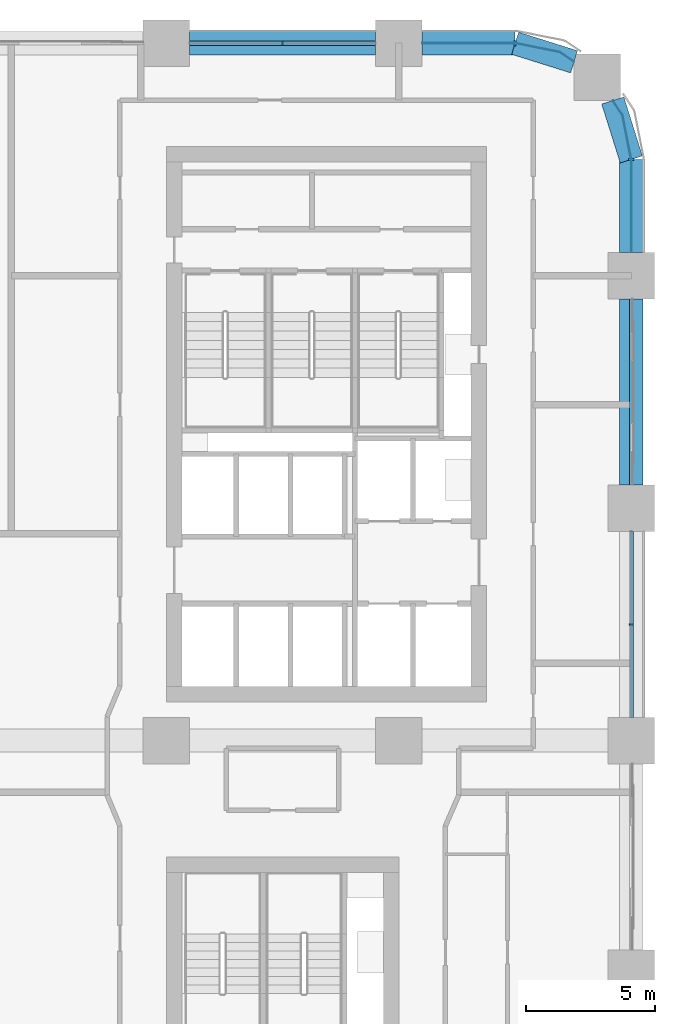
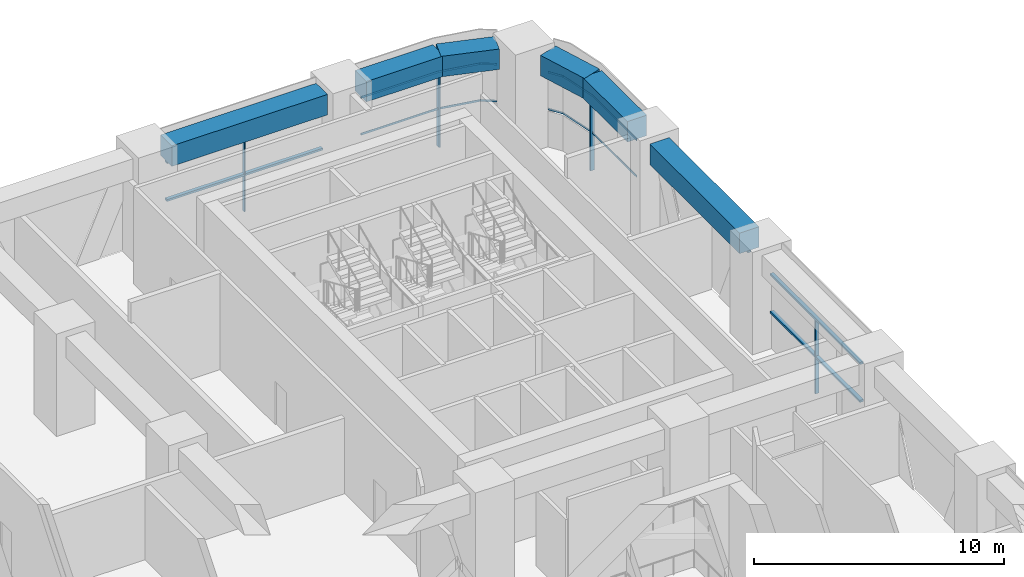
# One storey, part 10 of 26: 13 members, 6 beams, 5 elements without a shape of their own.
"""IFC4 building model written with IfcOpenShell, lengths in metres."""

from ifc_helpers import new_model, si_unit, direction, frame, origin, origin_2d, place, context, subcontext, project, spatial, polyline, rectangle, outline, extrude, material, material_profile, profile_set, type_object, element, aggregate, save


model = new_model("IFC4")

# Units and contexts
model_context = context("Model", 3, precision=1e-05, world=origin(), true_north=direction((0.0, 1.0)))
body_context = subcontext(model_context, "Body", "Model", "MODEL_VIEW")
ifc_project = project(units=[si_unit("LENGTHUNIT", "METRE"), si_unit("AREAUNIT", "SQUARE_METRE"), si_unit("VOLUMEUNIT", "CUBIC_METRE"), si_unit("PLANEANGLEUNIT", "RADIAN"), si_unit("MASSUNIT", "GRAM", prefix="KILO")], contexts=[model_context])

# Site, building, storey
site_placement = place(None, origin())
site = spatial("IfcSite", under=ifc_project, at=site_placement, CompositionType="ELEMENT")
building_placement = place(site_placement, origin())
building = spatial("IfcBuilding", under=site, at=building_placement, Name="Tessera Arch", CompositionType="ELEMENT")
storey_placement = place(building_placement, frame((0.0, 0.0, 72.800048828125)))
storey = spatial("IfcBuildingStorey", under=building, at=storey_placement, Name="L16", CompositionType="ELEMENT", Elevation=72.800048828125)

# Curtain wall, member
ifc_material_1 = material(Name="CW1 curtain wall")
curtain_wall_type_1 = type_object("IfcCurtainWallType", Name="CW1 curtain wall", PredefinedType="NOTDEFINED", material=ifc_material_1)
curtain_wall_1_placement = place(storey_placement, origin())
curtain_wall_1 = element("IfcCurtainWall", 1, at=curtain_wall_1_placement, inside=storey, type_object=curtain_wall_type_1, Name="CW1 curtain wall E54.0/3 L16", PredefinedType="NOTDEFINED")
ifc_material_2 = material(Name="Anodised aluminium pale metal", Category="aluminium")
ifc_material_profile_1 = material_profile(ifc_material_2, rectangle(XDim=0.159912109375, YDim=0.06005859375, at=origin_2d()), Name="AL 60x160")
ifc_profile_set_1 = profile_set([ifc_material_profile_1], Name="Anodised aluminium pale metal")
member_type_1 = type_object("IfcMemberType", Name="CW1 mullion", PredefinedType="MULLION", material=ifc_profile_set_1)
member_1_placement = place(storey_placement, frame((54.0, 31.5, 0.0), z_axis=(0.0, 0.0, 1.0), x_axis=(-1.0, 0.0, 0.0)))
member_1 = element("IfcMember", 2, at=member_1_placement, type_object=member_type_1, Name="CW1 mullion E54.0/3 1", PredefinedType="MULLION", context=body_context, shape_type="SweptSolid", body=[
    extrude(rectangle(XDim=0.159912109375, YDim=0.06005859375, at=origin_2d()), origin(), (0.0, 0.0, 1.0), 3.599853515625),
])

curtain_wall_2_placement = place(storey_placement, origin())
curtain_wall_2 = element("IfcCurtainWall", 3, at=curtain_wall_2_placement, inside=storey, type_object=curtain_wall_type_1, Name="CW1 curtain wall N54.0/1 L16", PredefinedType="NOTDEFINED")
member_2_placement = place(storey_placement, frame((40.5, 54.0, 0.0), z_axis=(0.0, 0.0, 1.0), x_axis=(0.0, -1.0, 0.0)))
member_2 = element("IfcMember", 4, at=member_2_placement, type_object=member_type_1, Name="CW1 mullion N54.0/1 1", PredefinedType="MULLION", context=body_context, shape_type="SweptSolid", body=[
    extrude(rectangle(XDim=0.159912109375, YDim=0.06005859375, at=origin_2d()), origin(), (0.0, 0.0, 1.0), 3.599853515625),
])

# Member
ifc_material_3 = material(Name="Anodised aluminium pale metal", Category="aluminium")
ifc_material_profile_2 = material_profile(ifc_material_3, rectangle(XDim=0.159912109375, YDim=0.10009765625, at=origin_2d()), Name="AL 160x100")
ifc_profile_set_2 = profile_set([ifc_material_profile_2], Name="Anodised aluminium pale metal")
member_type_2 = type_object("IfcMemberType", Name="CW1 transom", PredefinedType="USERDEFINED", material=ifc_profile_set_2)
member_3_placement = place(storey_placement, frame((54.0, 27.89990234375, 3.64990234375), z_axis=(0.0, 1.0, 0.0), x_axis=(-1.0, 0.0, 0.0)))
member_3 = element("IfcMember", 5, at=member_3_placement, type_object=member_type_2, Name="CW1 transom E54.0/3 1.1", ObjectType="TRANSOM", PredefinedType="USERDEFINED", context=body_context, shape_type="SweptSolid", body=[
    extrude(rectangle(XDim=0.159912109375, YDim=0.10009765625, at=origin_2d()), origin(), (0.0, 0.0, 1.0), 7.2001953125),
])

member_4_placement = place(storey_placement, frame((54.0, 27.89990234375, 1.800048828125), z_axis=(0.0, 1.0, 0.0), x_axis=(-1.0, 0.0, 0.0)))
member_4 = element("IfcMember", 6, at=member_4_placement, type_object=member_type_2, Name="CW1 transom E54.0/3 2.1", ObjectType="TRANSOM", PredefinedType="USERDEFINED", context=body_context, shape_type="SweptSolid", body=[
    extrude(rectangle(XDim=0.159912109375, YDim=0.10009765625, at=origin_2d()), origin(), (0.0, 0.0, 1.0), 7.2001953125),
])

aggregate(curtain_wall_1, [member_1, member_3, member_4])

member_5_placement = place(storey_placement, frame((44.10009765625, 54.0, 3.64990234375), z_axis=(-1.0, 0.0, 0.0), x_axis=(0.0, -1.0, 0.0)))
member_5 = element("IfcMember", 7, at=member_5_placement, type_object=member_type_2, Name="CW1 transom N54.0/1 1.1", ObjectType="TRANSOM", PredefinedType="USERDEFINED", context=body_context, shape_type="SweptSolid", body=[
    extrude(rectangle(XDim=0.159912109375, YDim=0.10009765625, at=origin_2d()), origin(), (0.0, 0.0, 1.0), 7.2001953125),
])

member_6_placement = place(storey_placement, frame((44.10009765625, 54.0, 1.800048828125), z_axis=(-1.0, 0.0, 0.0), x_axis=(0.0, -1.0, 0.0)))
member_6 = element("IfcMember", 8, at=member_6_placement, type_object=member_type_2, Name="CW1 transom N54.0/1 2.1", ObjectType="TRANSOM", PredefinedType="USERDEFINED", context=body_context, shape_type="SweptSolid", body=[
    extrude(rectangle(XDim=0.159912109375, YDim=0.10009765625, at=origin_2d()), origin(), (0.0, 0.0, 1.0), 7.2001953125),
])

aggregate(curtain_wall_2, [member_2, member_5, member_6])

# Curtain wall, member
ifc_material_4 = material(Name="CW2 curtain wall")
curtain_wall_type_2 = type_object("IfcCurtainWallType", Name="CW2 curtain wall", PredefinedType="NOTDEFINED", material=ifc_material_4)
curtain_wall_3_placement = place(storey_placement, origin())
curtain_wall_3 = element("IfcCurtainWall", 9, at=curtain_wall_3_placement, inside=storey, type_object=curtain_wall_type_2, Name="CW2 curtain wall E54.0/5 L16", PredefinedType="NOTDEFINED")
ifc_material_5 = material(Name="Anodised aluminium pale metal", Category="aluminium")
ifc_material_profile_3 = material_profile(ifc_material_5, rectangle(XDim=0.199951171875, YDim=0.080078125, at=origin_2d()), Name="AL 80x200")
ifc_profile_set_3 = profile_set([ifc_material_profile_3], Name="Anodised aluminium pale metal")
member_type_3 = type_object("IfcMemberType", Name="CW2 mullion", PredefinedType="MULLION", material=ifc_profile_set_3)
member_7_placement = place(storey_placement, frame((54.0, 49.5, 0.0), z_axis=(0.0, 0.0, 1.0), x_axis=(-1.0, 0.0, 0.0)))
member_7 = element("IfcMember", 10, at=member_7_placement, type_object=member_type_3, Name="CW2 mullion E54.0/5 1", PredefinedType="MULLION", context=body_context, shape_type="SweptSolid", body=[
    extrude(rectangle(XDim=0.199951171875, YDim=0.080078125, at=origin_2d()), origin(), (0.0, 0.0, 1.0), 3.599853515625),
])

curtain_wall_4_placement = place(storey_placement, origin())
curtain_wall_4 = element("IfcCurtainWall", 11, at=curtain_wall_4_placement, inside=storey, type_object=curtain_wall_type_2, Name="CW2 curtain wall N54.0/0 L16", PredefinedType="NOTDEFINED")
member_8_placement = place(storey_placement, frame((49.5, 54.0, 0.0), z_axis=(0.0, 0.0, 1.0), x_axis=(0.0, -1.0, 0.0)))
member_8 = element("IfcMember", 12, at=member_8_placement, type_object=member_type_3, Name="CW2 mullion N54.0/0 1", PredefinedType="MULLION", context=body_context, shape_type="SweptSolid", body=[
    extrude(rectangle(XDim=0.199951171875, YDim=0.080078125, at=origin_2d()), origin(), (0.0, 0.0, 1.0), 3.599853515625),
])

# Member
ifc_material_6 = material(Name="Anodised aluminium pale metal", Category="aluminium")
ifc_material_profile_4 = material_profile(ifc_material_6, rectangle(XDim=0.199951171875, YDim=0.10009765625, at=origin_2d()), Name="AL 200x100")
ifc_profile_set_4 = profile_set([ifc_material_profile_4], Name="Anodised aluminium pale metal")
member_type_4 = type_object("IfcMemberType", Name="CW2 transom", PredefinedType="USERDEFINED", material=ifc_profile_set_4)
member_9_placement = place(storey_placement, frame((0.0, 0.0, 1.800048828125)))
member_9 = element("IfcMember", 13, at=member_9_placement, type_object=member_type_4, Name="CW2 transom E54.0/5 1", ObjectType="TRANSOM", PredefinedType="USERDEFINED", context=body_context, shape_type="SweptSolid", body=[
    extrude(outline(polyline([(53.989990234375, 49.4990234375), (53.989990234375, 45.89990234375), (54.010009765625, 45.89990234375), (54.010009765625, 49.5009765625), (53.6669921875, 51.22607421875), (53.29150390625, 51.78759765625), (53.27490234375, 51.7763671875), (53.648193359375, 51.21826171875), (53.989990234375, 49.4990234375)])), origin(), (0.0, 0.0, 1.0), 0.099853515625),
])

member_10_placement = place(storey_placement, frame((0.0, 0.0, 3.599853515625)))
member_10 = element("IfcMember", 14, at=member_10_placement, type_object=member_type_4, Name="CW2 transom E54.0/5 2", ObjectType="TRANSOM", PredefinedType="USERDEFINED", context=body_context, shape_type="SweptSolid", body=[
    extrude(outline(polyline([(53.989990234375, 49.4990234375), (53.989990234375, 45.89990234375), (54.010009765625, 45.89990234375), (54.010009765625, 49.5009765625), (53.6669921875, 51.22607421875), (53.29150390625, 51.78759765625), (53.27490234375, 51.7763671875), (53.648193359375, 51.21826171875), (53.989990234375, 49.4990234375)])), origin(), (0.0, 0.0, 1.0), 0.10009765625),
])

aggregate(curtain_wall_3, [member_7, member_9, member_10])

member_11_placement = place(storey_placement, frame((0.0, 0.0, 1.800048828125)))
member_11 = element("IfcMember", 15, at=member_11_placement, type_object=member_type_4, Name="CW2 transom N54.0/0 1", ObjectType="TRANSOM", PredefinedType="USERDEFINED", context=body_context, shape_type="SweptSolid", body=[
    extrude(outline(polyline([(51.21826171875, 53.648193359375), (51.7763671875, 53.27490234375), (51.78759765625, 53.29150390625), (51.22607421875, 53.6669921875), (49.5009765625, 54.010009765625), (45.89990234375, 54.010009765625), (45.89990234375, 53.989990234375), (49.4990234375, 53.989990234375), (51.21826171875, 53.648193359375)])), origin(), (0.0, 0.0, 1.0), 0.099853515625),
])

member_12_placement = place(storey_placement, frame((0.0, 0.0, 3.599853515625)))
member_12 = element("IfcMember", 16, at=member_12_placement, type_object=member_type_4, Name="CW2 transom N54.0/0 2", ObjectType="TRANSOM", PredefinedType="USERDEFINED", context=body_context, shape_type="SweptSolid", body=[
    extrude(outline(polyline([(51.21826171875, 53.648193359375), (51.7763671875, 53.27490234375), (51.78759765625, 53.29150390625), (51.22607421875, 53.6669921875), (49.5009765625, 54.010009765625), (45.89990234375, 54.010009765625), (45.89990234375, 53.989990234375), (49.4990234375, 53.989990234375), (51.21826171875, 53.648193359375)])), origin(), (0.0, 0.0, 1.0), 0.10009765625),
])

aggregate(curtain_wall_4, [member_8, member_11, member_12])

# Curtain wall, member
ifc_material_7 = material(Name="CW3 curtain wall")
curtain_wall_type_3 = type_object("IfcCurtainWallType", Name="CW3 curtain wall", PredefinedType="NOTDEFINED", material=ifc_material_7)
curtain_wall_5_placement = place(storey_placement, origin())
curtain_wall_5 = element("IfcCurtainWall", 17, at=curtain_wall_5_placement, inside=storey, type_object=curtain_wall_type_3, Name="CW3 curtain wall E54.0/4 L16", PredefinedType="NOTDEFINED")
ifc_material_8 = material(Name="Anodised aluminium pale metal", Category="aluminium")
ifc_material_profile_5 = material_profile(ifc_material_8, rectangle(XDim=0.139892578125, YDim=0.10009765625, at=origin_2d()), Name="AL 140x100")
ifc_profile_set_5 = profile_set([ifc_material_profile_5], Name="Anodised aluminium pale metal")
member_type_5 = type_object("IfcMemberType", Name="CW3 transom", PredefinedType="USERDEFINED", material=ifc_profile_set_5)
member_13_placement = place(storey_placement, frame((54.0, 36.89990234375, 3.64990234375), z_axis=(0.0, 1.0, 0.0), x_axis=(-1.0, 0.0, 0.0)))
member_13 = element("IfcMember", 18, at=member_13_placement, type_object=member_type_5, Name="CW3 transom E54.0/4 1.1", ObjectType="TRANSOM", PredefinedType="USERDEFINED", context=body_context, shape_type="SweptSolid", body=[
    extrude(rectangle(XDim=0.139892578125, YDim=0.10009765625, at=origin_2d()), origin(), (0.0, 0.0, 1.0), 7.2001953125),
])
aggregate(curtain_wall_5, [member_13])

# Beams
ifc_material_9 = material(Name="Concrete C80/95", Category="concrete")
ifc_material_profile_6 = material_profile(ifc_material_9, rectangle(XDim=0.89990234375, YDim=1.0, at=origin_2d()), Name="RC spandrel beam 900 x 1000 Concrete C80/95")
ifc_profile_set_6 = profile_set([ifc_material_profile_6], Name="Concrete C80/95")
beam_type = type_object("IfcBeamType", Name="RC spandrel beam 900 x 1000 Concrete C80/95", PredefinedType="BEAM", material=ifc_profile_set_6)
beam_1_placement = place(storey_placement, frame((54.0, 36.89990234375, 4.199951171875), z_axis=(0.0, 1.0, 0.0), x_axis=(-1.0, 0.0, 0.0)))
element("IfcBeam", 19, at=beam_1_placement, inside=storey, type_object=beam_type, Name="Spandrel beam L16 E54.0/4", PredefinedType="BEAM", context=body_context, shape_type="SweptSolid", body=[
    extrude(rectangle(XDim=0.89990234375, YDim=1.0, at=origin_2d()), origin(), (0.0, 0.0, 1.0), 7.2001953125),
])
beam_2_placement = place(storey_placement, frame((54.0, 45.89990234375, 4.199951171875), z_axis=(0.0, 1.0, 0.0), x_axis=(-1.0, 0.0, 0.0)))
element("IfcBeam", 20, at=beam_2_placement, inside=storey, type_object=beam_type, Name="Spandrel beam L16 E54.0/5.1", PredefinedType="BEAM", context=body_context, shape_type="SweptSolid", body=[
    extrude(rectangle(XDim=0.89990234375, YDim=1.0, at=origin_2d()), origin(), (0.0, 0.0, 1.0), 3.60009765625),
])
for number, where, z_axis, x_axis, name in (
    (21, (54.0, 49.5, 4.199951171875), (-0.299675309057, 0.954041251279, 0.0), (-0.954041251279, -0.299675309057, 0.0), "Spandrel beam L16 E54.0/5.2"),
    (22, (51.781982421875, 53.283203125, 4.199951171875), (-0.954041251279, 0.299675309057, 0.0), (-0.299675309057, -0.954041251279, 0.0), "Spandrel beam L16 N54.0/0.1"),
):
    element("IfcBeam", number, at=place(storey_placement, frame(where, z_axis=z_axis, x_axis=x_axis)), inside=storey, type_object=beam_type, Name=name, PredefinedType="BEAM", context=body_context, shape_type="SweptSolid", body=[
        extrude(rectangle(XDim=0.89990234375, YDim=1.0, at=origin_2d()), origin(), (0.0, 0.0, 1.0), 2.391845703125),
    ])
beam_3_placement = place(storey_placement, frame((49.5, 54.0, 4.199951171875), z_axis=(-1.0, 0.0, 0.0), x_axis=(0.0, -1.0, 0.0)))
element("IfcBeam", 23, at=beam_3_placement, inside=storey, type_object=beam_type, Name="Spandrel beam L16 N54.0/0.2", PredefinedType="BEAM", context=body_context, shape_type="SweptSolid", body=[
    extrude(rectangle(XDim=0.89990234375, YDim=1.0, at=origin_2d()), origin(), (0.0, 0.0, 1.0), 3.60009765625),
])
beam_4_placement = place(storey_placement, frame((44.10009765625, 54.0, 4.199951171875), z_axis=(-1.0, 0.0, 0.0), x_axis=(0.0, -1.0, 0.0)))
element("IfcBeam", 24, at=beam_4_placement, inside=storey, type_object=beam_type, Name="Spandrel beam L16 N54.0/1", PredefinedType="BEAM", context=body_context, shape_type="SweptSolid", body=[
    extrude(rectangle(XDim=0.89990234375, YDim=1.0, at=origin_2d()), origin(), (0.0, 0.0, 1.0), 7.2001953125),
])

save(model, "model.ifc")
